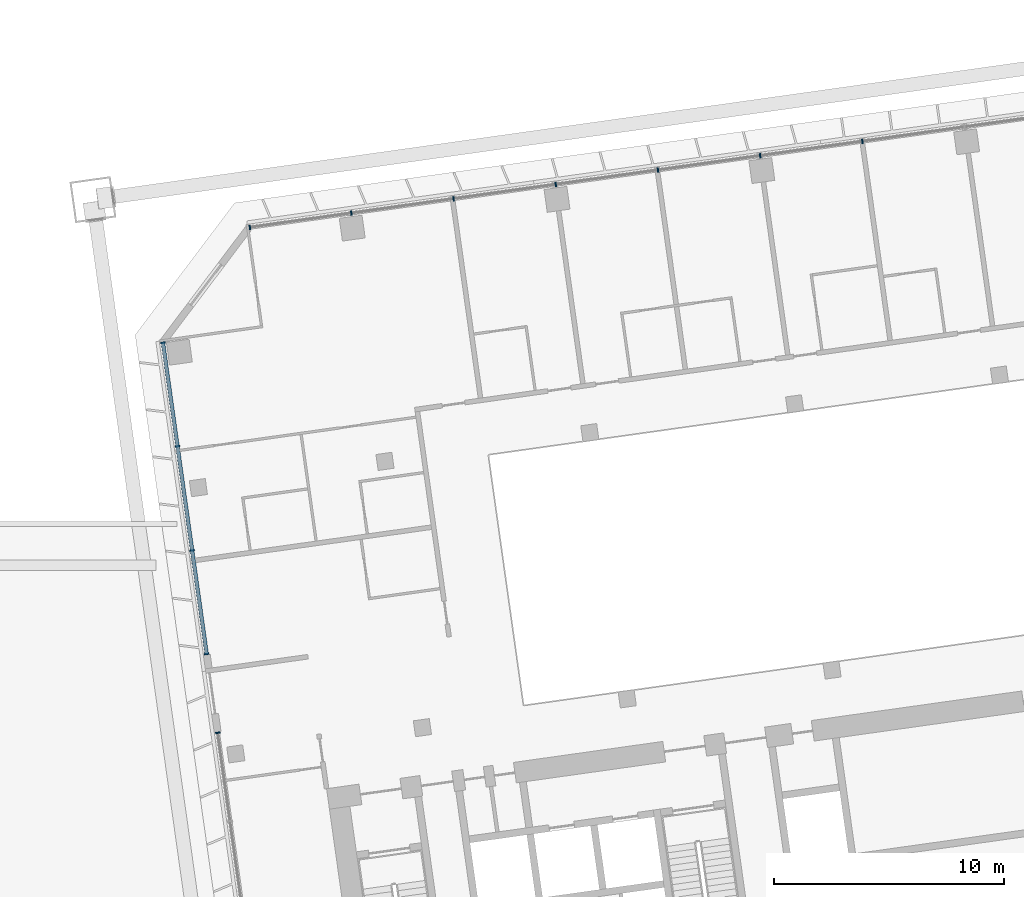
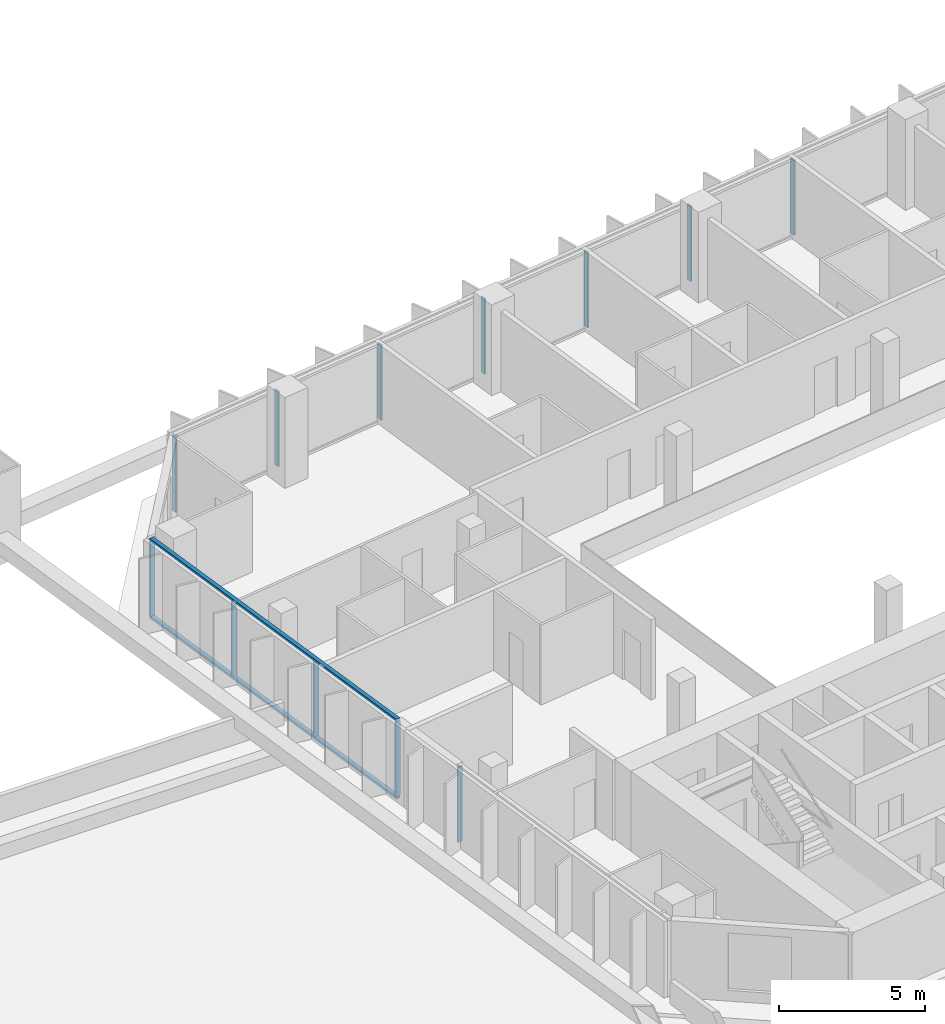
# One storey, part 15 of 46: 14 members, 3 elements without a shape of their own.
"""IFC4 building model written with IfcOpenShell, lengths in metres."""

from ifc_helpers import new_model, si_unit, direction, frame, origin, origin_2d, place, context, subcontext, project, spatial, rectangle, extrude, material, material_profile, profile_set, type_object, element, aggregate, save


model = new_model("IFC4")

# Units and contexts
model_context = context("Model", 3, precision=1e-05, world=origin(), true_north=direction((0.0, 1.0)))
body_context = subcontext(model_context, "Body", "Model", "MODEL_VIEW")
ifc_project = project(units=[si_unit("LENGTHUNIT", "METRE"), si_unit("AREAUNIT", "SQUARE_METRE"), si_unit("VOLUMEUNIT", "CUBIC_METRE"), si_unit("PLANEANGLEUNIT", "RADIAN"), si_unit("MASSUNIT", "GRAM", prefix="KILO")], contexts=[model_context])

# Site, building, storey
site_placement = place(None, origin())
site = spatial("IfcSite", under=ifc_project, at=site_placement, CompositionType="ELEMENT")
building_placement = place(site_placement, origin())
building = spatial("IfcBuilding", under=site, at=building_placement, Name="Mirante Cascada Hotel Towers", CompositionType="ELEMENT")
storey_placement = place(building_placement, frame((0.0, 0.0, 39.5)))
storey = spatial("IfcBuildingStorey", under=building, at=storey_placement, Name="L06", CompositionType="ELEMENT", Elevation=39.5)

# Curtain wall, members
ifc_material_1 = material(Name="Aluminium mullion and transom frame with clear laminated glass", Category="aluminium")
curtain_wall_type_1 = type_object("IfcCurtainWallType", Name="Ribbon curtain wall ECW1", PredefinedType="NOTDEFINED", material=ifc_material_1)
curtain_wall_1_placement = place(storey_placement, origin())
curtain_wall_1 = element("IfcCurtainWall", 1, at=curtain_wall_1_placement, inside=storey, type_object=curtain_wall_type_1, Name="Front ribbon wall T2 L06", PredefinedType="NOTDEFINED")
ifc_material_2 = material(Name="Anodised aluminium extrusion", Category="aluminium")
ifc_material_profile_1 = material_profile(ifc_material_2, rectangle(XDim=0.2, YDim=0.065, at=origin_2d()), Name="ECW1 MULLION 65x200")
ifc_profile_set_1 = profile_set([ifc_material_profile_1], Name="Anodised aluminium extrusion")
member_type_1 = type_object("IfcMemberType", Name="ECW1 mullion 65x200", PredefinedType="MULLION", material=ifc_profile_set_1)
member_1_placement = place(storey_placement, frame((58.5788, 21.0517, 0.1), z_axis=(0.0, 0.0, 1.0), x_axis=(0.1391731, -0.9902681, 0.0)))
member_1 = element("IfcMember", 2, at=member_1_placement, type_object=member_type_1, Name="ECW1 mullion 9", PredefinedType="MULLION", context=body_context, shape_type="SweptSolid", body=[
    extrude(rectangle(XDim=0.2, YDim=0.065, at=origin_2d()), origin(), (0.0, 0.0, 1.0), 3.15),
])
member_2_placement = place(storey_placement, frame((54.1314, 20.4267, 0.1), z_axis=(0.0, 0.0, 1.0), x_axis=(0.1391731, -0.9902681, 0.0)))
member_2 = element("IfcMember", 3, at=member_2_placement, type_object=member_type_1, Name="ECW1 mullion 10", PredefinedType="MULLION", context=body_context, shape_type="SweptSolid", body=[
    extrude(rectangle(XDim=0.2, YDim=0.065, at=origin_2d()), origin(), (0.0, 0.0, 1.0), 3.15),
])
member_3_placement = place(storey_placement, frame((49.684, 19.8017, 0.1), z_axis=(0.0, 0.0, 1.0), x_axis=(0.1391731, -0.9902681, 0.0)))
member_3 = element("IfcMember", 4, at=member_3_placement, type_object=member_type_1, Name="ECW1 mullion 11", PredefinedType="MULLION", context=body_context, shape_type="SweptSolid", body=[
    extrude(rectangle(XDim=0.2, YDim=0.065, at=origin_2d()), origin(), (0.0, 0.0, 1.0), 3.15),
])
member_4_placement = place(storey_placement, frame((45.2366, 19.1766, 0.1), z_axis=(0.0, 0.0, 1.0), x_axis=(0.1391731, -0.9902681, 0.0)))
member_4 = element("IfcMember", 5, at=member_4_placement, type_object=member_type_1, Name="ECW1 mullion 12", PredefinedType="MULLION", context=body_context, shape_type="SweptSolid", body=[
    extrude(rectangle(XDim=0.2, YDim=0.065, at=origin_2d()), origin(), (0.0, 0.0, 1.0), 3.15),
])
member_5_placement = place(storey_placement, frame((40.7892, 18.5516, 0.1), z_axis=(0.0, 0.0, 1.0), x_axis=(0.1391731, -0.9902681, 0.0)))
member_5 = element("IfcMember", 6, at=member_5_placement, type_object=member_type_1, Name="ECW1 mullion 13", PredefinedType="MULLION", context=body_context, shape_type="SweptSolid", body=[
    extrude(rectangle(XDim=0.2, YDim=0.065, at=origin_2d()), origin(), (0.0, 0.0, 1.0), 3.15),
])
member_6_placement = place(storey_placement, frame((36.3417, 17.9265, 0.1), z_axis=(0.0, 0.0, 1.0), x_axis=(0.1391731, -0.9902681, 0.0)))
member_6 = element("IfcMember", 7, at=member_6_placement, type_object=member_type_1, Name="ECW1 mullion 14", PredefinedType="MULLION", context=body_context, shape_type="SweptSolid", body=[
    extrude(rectangle(XDim=0.2, YDim=0.065, at=origin_2d()), origin(), (0.0, 0.0, 1.0), 3.15),
])
member_7_placement = place(storey_placement, frame((31.9265, 17.306, 0.1), z_axis=(0.0, 0.0, 1.0), x_axis=(0.1391731, -0.9902681, 0.0)))
member_7 = element("IfcMember", 8, at=member_7_placement, type_object=member_type_1, Name="ECW1 mullion 15", PredefinedType="MULLION", context=body_context, shape_type="SweptSolid", body=[
    extrude(rectangle(XDim=0.2, YDim=0.065, at=origin_2d()), origin(), (0.0, 0.0, 1.0), 3.15),
])
aggregate(curtain_wall_1, [member_1, member_2, member_3, member_4, member_5, member_6, member_7])

ifc_material_3 = material(Name="Aluminium mullion and transom frame with clear laminated glass", Category="aluminium")
curtain_wall_type_2 = type_object("IfcCurtainWallType", Name="End ribbon curtain wall ECW2", PredefinedType="NOTDEFINED", material=ifc_material_3)
curtain_wall_2_placement = place(storey_placement, origin())
curtain_wall_2 = element("IfcCurtainWall", 9, at=curtain_wall_2_placement, inside=storey, type_object=curtain_wall_type_2, Name="Inner end wall T2 L06 run 1", PredefinedType="NOTDEFINED")
ifc_material_4 = material(Name="Anodised aluminium extrusion", Category="aluminium")
ifc_material_profile_2 = material_profile(ifc_material_4, rectangle(XDim=0.2, YDim=0.065, at=origin_2d()), Name="ECW2 MULLION 65x200")
ifc_profile_set_2 = profile_set([ifc_material_profile_2], Name="Anodised aluminium extrusion")
member_type_2 = type_object("IfcMemberType", Name="ECW2 mullion 65x200", PredefinedType="MULLION", material=ifc_profile_set_2)
member_8_placement = place(storey_placement, frame((28.1437, 12.2861, 0.1), z_axis=(0.0, 0.0, 1.0), x_axis=(0.9902681, 0.1391731, 0.0)))
member_8 = element("IfcMember", 10, at=member_8_placement, type_object=member_type_2, Name="ECW2 mullion 1", PredefinedType="MULLION", context=body_context, shape_type="SweptSolid", body=[
    extrude(rectangle(XDim=0.2, YDim=0.065, at=origin_2d()), origin(), (0.0, 0.0, 1.0), 3.15),
])
member_9_placement = place(storey_placement, frame((28.7765, 7.7835, 0.1), z_axis=(0.0, 0.0, 1.0), x_axis=(0.9902681, 0.1391731, 0.0)))
member_9 = element("IfcMember", 11, at=member_9_placement, type_object=member_type_2, Name="ECW2 mullion 2", PredefinedType="MULLION", context=body_context, shape_type="SweptSolid", body=[
    extrude(rectangle(XDim=0.2, YDim=0.065, at=origin_2d()), origin(), (0.0, 0.0, 1.0), 3.15),
])
member_10_placement = place(storey_placement, frame((29.4138, 3.2488, 0.1), z_axis=(0.0, 0.0, 1.0), x_axis=(0.9902681, 0.1391731, 0.0)))
member_10 = element("IfcMember", 12, at=member_10_placement, type_object=member_type_2, Name="ECW2 mullion 3", PredefinedType="MULLION", context=body_context, shape_type="SweptSolid", body=[
    extrude(rectangle(XDim=0.2, YDim=0.065, at=origin_2d()), origin(), (0.0, 0.0, 1.0), 3.15),
])
member_11_placement = place(storey_placement, frame((30.0466, -1.2538, 0.1), z_axis=(0.0, 0.0, 1.0), x_axis=(0.9902681, 0.1391731, 0.0)))
member_11 = element("IfcMember", 13, at=member_11_placement, type_object=member_type_2, Name="ECW2 mullion 4", PredefinedType="MULLION", context=body_context, shape_type="SweptSolid", body=[
    extrude(rectangle(XDim=0.2, YDim=0.065, at=origin_2d()), origin(), (0.0, 0.0, 1.0), 3.15),
])

# Curtain wall, member
curtain_wall_3_placement = place(storey_placement, origin())
curtain_wall_3 = element("IfcCurtainWall", 14, at=curtain_wall_3_placement, inside=storey, type_object=curtain_wall_type_2, Name="Inner end wall T2 L06 run 3", PredefinedType="NOTDEFINED")
member_12_placement = place(storey_placement, frame((30.5288, -4.685, 0.1), z_axis=(0.0, 0.0, 1.0), x_axis=(0.9902681, 0.1391731, 0.0)))
member_12 = element("IfcMember", 15, at=member_12_placement, type_object=member_type_2, Name="ECW2 mullion 1", PredefinedType="MULLION", context=body_context, shape_type="SweptSolid", body=[
    extrude(rectangle(XDim=0.2, YDim=0.065, at=origin_2d()), origin(), (0.0, 0.0, 1.0), 3.15),
])
aggregate(curtain_wall_3, [member_12])

# Member
ifc_material_5 = material(Name="Anodised aluminium extrusion", Category="aluminium")
ifc_material_profile_3 = material_profile(ifc_material_5, rectangle(XDim=0.16, YDim=0.1, at=origin_2d()), Name="ECW2 TRANSOM 100x160")
ifc_profile_set_3 = profile_set([ifc_material_profile_3], Name="Anodised aluminium extrusion")
member_type_3 = type_object("IfcMemberType", Name="ECW2 transom 100x160", PredefinedType="USERDEFINED", material=ifc_profile_set_3)
member_13_placement = place(storey_placement, frame((28.1392, 12.3182, 0.05), z_axis=(0.1391708, -0.9902684, 0.0), x_axis=(0.9902684, 0.1391708, 0.0)))
member_13 = element("IfcMember", 16, at=member_13_placement, type_object=member_type_3, Name="ECW2 sill transom", ObjectType="TRANSOM", PredefinedType="USERDEFINED", context=body_context, shape_type="SweptSolid", body=[
    extrude(rectangle(XDim=0.16, YDim=0.1, at=origin_2d()), origin(), (0.0, 0.0, 1.0), 13.7378),
])

member_14_placement = place(storey_placement, frame((28.1392, 12.3182, 3.3), z_axis=(0.1391708, -0.9902684, 0.0), x_axis=(0.9902684, 0.1391708, 0.0)))
member_14 = element("IfcMember", 17, at=member_14_placement, type_object=member_type_3, Name="ECW2 head transom", ObjectType="TRANSOM", PredefinedType="USERDEFINED", context=body_context, shape_type="SweptSolid", body=[
    extrude(rectangle(XDim=0.16, YDim=0.1, at=origin_2d()), origin(), (0.0, 0.0, 1.0), 13.7378),
])

aggregate(curtain_wall_2, [member_13, member_14, member_8, member_9, member_10, member_11])

save(model, "model.ifc")
